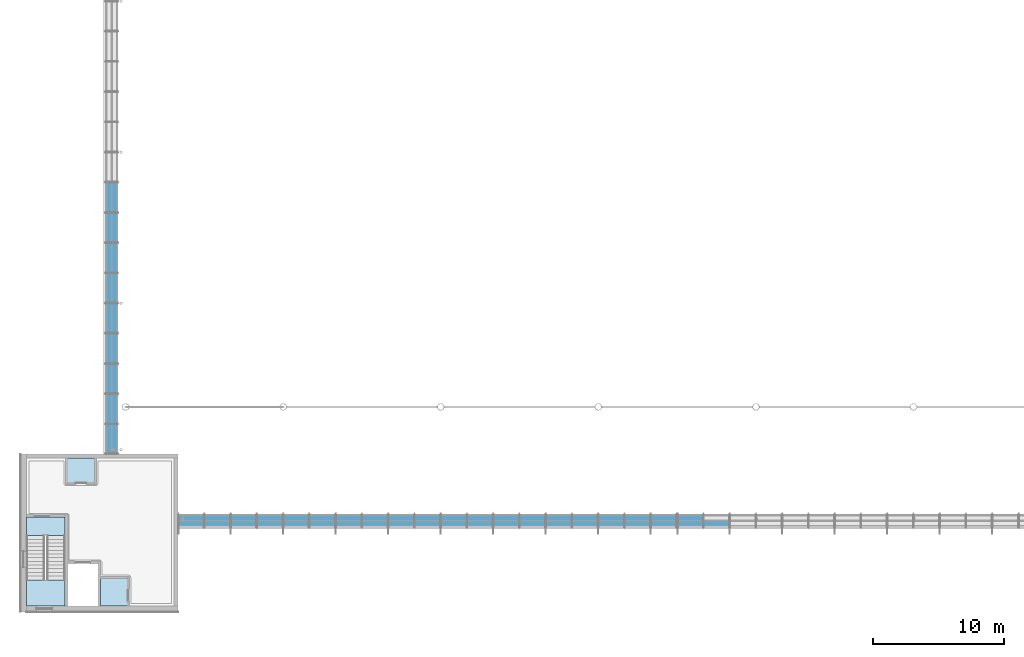
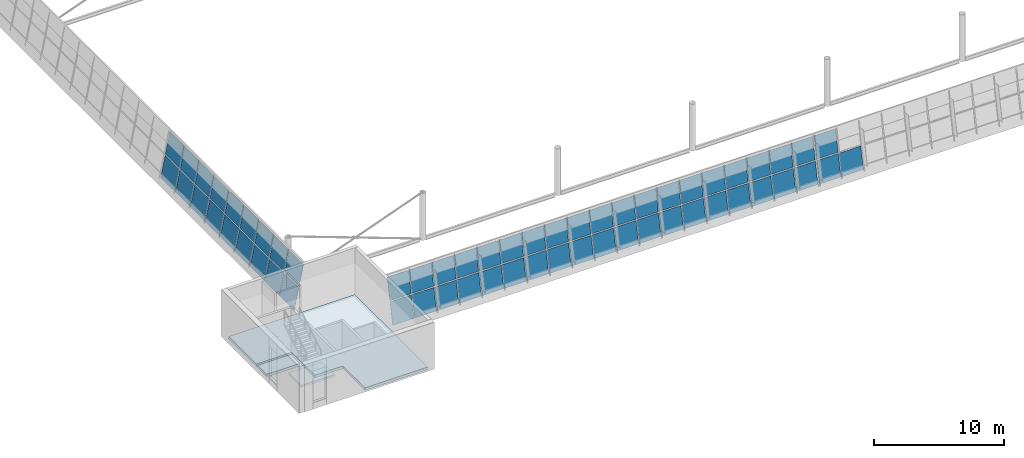
# One storey, part 23 of 50: 59 plates, 3 slabs, 4 elements without a shape of their own.
"""IFC4 building model written with IfcOpenShell, lengths in metres."""

from ifc_helpers import new_model, si_unit, direction, frame, origin, place, context, subcontext, project, spatial, polyline, outline, extrude, material, layer, layer_set, type_object, element, aggregate, save


model = new_model("IFC4")

# Units and contexts
model_context = context("Model", 3, precision=1e-05, world=origin(), true_north=direction((0.0, 1.0)))
body_context = subcontext(model_context, "Body", "Model", "MODEL_VIEW")
ifc_project = project(units=[si_unit("LENGTHUNIT", "METRE"), si_unit("AREAUNIT", "SQUARE_METRE"), si_unit("VOLUMEUNIT", "CUBIC_METRE"), si_unit("PLANEANGLEUNIT", "RADIAN"), si_unit("MASSUNIT", "GRAM", prefix="KILO")], contexts=[model_context])

# Site, building, storey
site_placement = place(None, origin())
site = spatial("IfcSite", under=ifc_project, at=site_placement, CompositionType="ELEMENT")
building_placement = place(site_placement, origin())
building = spatial("IfcBuilding", under=site, at=building_placement, Name="Windward Yard Aquatics Centre", CompositionType="ELEMENT")
storey_placement = place(building_placement, frame((0.0, 0.0, 18.199951171875)))
storey = spatial("IfcBuildingStorey", under=building, at=storey_placement, Name="L04", CompositionType="ELEMENT", Elevation=18.199951171875)

# Slabs
ifc_material_1 = material(Name="Concrete C35/45", Category="concrete")
ifc_layer_1 = layer(ifc_material_1, 0.25)
ifc_layer_set_1 = layer_set([ifc_layer_1], Name="H Core Floor Concrete C35/45 250")
slab_type_1 = type_object("IfcSlabType", Name="H Core Floor Concrete C35/45 250", PredefinedType="FLOOR", material=ifc_layer_set_1)
slab_1_placement = place(storey_placement, frame((0.0, 0.0, -0.25)))
element("IfcSlab", 1, at=slab_1_placement, inside=storey, type_object=slab_type_1, Name="L04 core floor SW", PredefinedType="FLOOR", context=body_context, shape_type="SweptSolid", body=[
    extrude(outline(polyline([(52.449951171875, 33.39990234375), (55.60009765625, 33.39990234375), (55.60009765625, 29.85009765625), (58.10009765625, 29.85009765625), (58.10009765625, 26.449951171875), (63.699951171875, 26.449951171875), (63.699951171875, 37.699951171875), (52.449951171875, 37.699951171875), (52.449951171875, 33.39990234375)])), origin(), (0.0, 0.0, 1.0), 0.25),
])
slab_2_placement = place(storey_placement, frame((0.0, 0.0, -0.25)))
element("IfcSlab", 2, at=slab_2_placement, inside=storey, type_object=slab_type_1, Name="L04 stair floor landing SW", PredefinedType="FLOOR", context=body_context, shape_type="SweptSolid", body=[
    extrude(outline(polyline([(52.449951171875, 31.800048828125), (55.39990234375, 31.800048828125), (55.39990234375, 33.199951171875), (52.449951171875, 33.199951171875), (52.449951171875, 31.800048828125)])), origin(), (0.0, 0.0, 1.0), 0.25),
])

# Stair, slab
stair_type = type_object("IfcStairType", Name="H Core Stair Concrete C35/45 1400", PredefinedType="HALF_TURN_STAIR", material=ifc_material_1)
stair_placement = place(storey_placement, origin())
stair = element("IfcStair", 3, at=stair_placement, inside=storey, type_object=stair_type, Name="L04 Stair SW", PredefinedType="HALF_TURN_STAIR")
ifc_layer_2 = layer(ifc_material_1, 0.199951171875)
ifc_layer_set_2 = layer_set([ifc_layer_2], Name="H Stair Landing Concrete C35/45 200")
slab_type_2 = type_object("IfcSlabType", Name="H Stair Landing Concrete C35/45 200", PredefinedType="LANDING", material=ifc_layer_set_2)
slab_3_placement = place(storey_placement, frame((0.0, 0.0, 2.0)))
slab_3 = element("IfcSlab", 4, at=slab_3_placement, type_object=slab_type_2, Name="ST1 landing 1", PredefinedType="LANDING", context=body_context, shape_type="SweptSolid", body=[
    extrude(outline(polyline([(52.449951171875, 26.449951171875), (55.39990234375, 26.449951171875), (55.39990234375, 28.43994140625), (52.449951171875, 28.43994140625), (52.449951171875, 26.449951171875)])), origin(), (0.0, 0.0, 1.0), 0.199951171875),
])
aggregate(stair, [slab_3])

# Curtain wall, plates
ifc_material_2 = material(Name="Glass and aluminium curtain wall", Category="aluminium")
ifc_layer_3 = layer(ifc_material_2, 0.179931640625)
ifc_layer_set_3 = layer_set([ifc_layer_3], Name="H curtain wall tier 2 double glazed 6+16+6")
curtain_wall_type = type_object("IfcCurtainWallType", Name="H curtain wall tier 2 double glazed 6+16+6", PredefinedType="NOTDEFINED", material=ifc_layer_set_3)
curtain_wall_1_placement = place(storey_placement, origin())
curtain_wall_1 = element("IfcCurtainWall", 5, at=curtain_wall_1_placement, inside=storey, type_object=curtain_wall_type, Name="Tier 2 glazing S L04", PredefinedType="NOTDEFINED")
ifc_material_3 = material(Name="Low-iron glass", Category="glass")
ifc_layer_4 = layer(ifc_material_3, 0.006, Name="Outer pane")
ifc_material_4 = material(Name="Argon-filled cavity")
ifc_layer_5 = layer(ifc_material_4, 0.016, Name="Cavity")
ifc_layer_6 = layer(ifc_material_3, 0.006, Name="Inner pane")
ifc_layer_set_4 = layer_set([ifc_layer_4, ifc_layer_5, ifc_layer_6], Name="H tier 2 glass low-e double glazed unit 28")
plate_type = type_object("IfcPlateType", Name="H tier 2 glass low-e double glazed unit 28", PredefinedType="CURTAIN_PANEL", material=ifc_layer_set_4)
plate_1_placement = place(storey_placement, frame((64.06494140625, 32.511474609375, 0.100830078125), z_axis=(0.0, -0.979933459069, 0.199324900092), x_axis=(1.0, 0.0, 0.0)))
plate_1 = element("IfcPlate", 6, at=plate_1_placement, type_object=plate_type, Name="G2SA panel 1.1", PredefinedType="CURTAIN_PANEL", context=body_context, shape_type="SweptSolid", body=[
    extrude(outline(polyline([(0.0, 0.0), (1.902344, 0.0), (1.902344, 2.018532), (0.0, 2.018532), (0.0, 0.0)])), origin(), (0.0, 0.0, -1.0), 0.028076171875),
])
plate_2_placement = place(storey_placement, frame((64.06494140625, 32.933837890625, 2.1767578125), z_axis=(0.0, -0.979926619255, 0.199358523457), x_axis=(1.0, 0.0, 0.0)))
plate_2 = element("IfcPlate", 7, at=plate_2_placement, type_object=plate_type, Name="G2SA panel 1.2", PredefinedType="CURTAIN_PANEL", context=body_context, shape_type="SweptSolid", body=[
    extrude(outline(polyline([(0.0, 0.0), (1.902344, 0.0), (1.902344, 2.012069), (0.0, 2.012069), (0.0, 0.0)])), origin(), (0.0, 0.0, -1.0), 0.028076171875),
])
plate_3_placement = place(storey_placement, frame((66.0322265625, 32.511474609375, 0.100830078125), z_axis=(0.0, -0.979933459069, 0.199324900092), x_axis=(1.0, 0.0, 0.0)))
plate_3 = element("IfcPlate", 8, at=plate_3_placement, type_object=plate_type, Name="G2SA panel 2.1", PredefinedType="CURTAIN_PANEL", context=body_context, shape_type="SweptSolid", body=[
    extrude(outline(polyline([(0.0, 0.0), (1.934814, 0.0), (1.934814, 2.018532), (0.0, 2.018532), (0.0, 0.0)])), origin(), (0.0, 0.0, -1.0), 0.028076171875),
])
plate_4_placement = place(storey_placement, frame((66.0322265625, 32.933837890625, 2.1767578125), z_axis=(0.0, -0.979926619255, 0.199358523457), x_axis=(1.0, 0.0, 0.0)))
plate_4 = element("IfcPlate", 9, at=plate_4_placement, type_object=plate_type, Name="G2SA panel 2.2", PredefinedType="CURTAIN_PANEL", context=body_context, shape_type="SweptSolid", body=[
    extrude(outline(polyline([(0.0, 0.0), (1.934814, 0.0), (1.934814, 2.012069), (0.0, 2.012069), (0.0, 0.0)])), origin(), (0.0, 0.0, -1.0), 0.028076171875),
])
plate_5_placement = place(storey_placement, frame((68.031982421875, 32.511474609375, 0.100830078125), z_axis=(0.0, -0.979933459069, 0.199324900092), x_axis=(1.0, 0.0, 0.0)))
plate_5 = element("IfcPlate", 10, at=plate_5_placement, type_object=plate_type, Name="G2SA panel 3.1", PredefinedType="CURTAIN_PANEL", context=body_context, shape_type="SweptSolid", body=[
    extrude(outline(polyline([(0.0, 0.0), (1.934814, 0.0), (1.934814, 2.018532), (0.0, 2.018532), (0.0, 0.0)])), origin(), (0.0, 0.0, -1.0), 0.028076171875),
])
plate_6_placement = place(storey_placement, frame((68.031982421875, 32.933837890625, 2.1767578125), z_axis=(0.0, -0.979926619255, 0.199358523457), x_axis=(1.0, 0.0, 0.0)))
plate_6 = element("IfcPlate", 11, at=plate_6_placement, type_object=plate_type, Name="G2SA panel 3.2", PredefinedType="CURTAIN_PANEL", context=body_context, shape_type="SweptSolid", body=[
    extrude(outline(polyline([(0.0, 0.0), (1.934814, 0.0), (1.934814, 2.012069), (0.0, 2.012069), (0.0, 0.0)])), origin(), (0.0, 0.0, -1.0), 0.028076171875),
])
plate_7_placement = place(storey_placement, frame((70.03173828125, 32.511474609375, 0.100830078125), z_axis=(0.0, -0.979933459069, 0.199324900092), x_axis=(1.0, 0.0, 0.0)))
plate_7 = element("IfcPlate", 12, at=plate_7_placement, type_object=plate_type, Name="G2SA panel 4.1", PredefinedType="CURTAIN_PANEL", context=body_context, shape_type="SweptSolid", body=[
    extrude(outline(polyline([(0.0, 0.0), (1.934814, 0.0), (1.934814, 2.018532), (0.0, 2.018532), (0.0, 0.0)])), origin(), (0.0, 0.0, -1.0), 0.028076171875),
])
plate_8_placement = place(storey_placement, frame((70.03173828125, 32.933837890625, 2.1767578125), z_axis=(0.0, -0.979926619255, 0.199358523457), x_axis=(1.0, 0.0, 0.0)))
plate_8 = element("IfcPlate", 13, at=plate_8_placement, type_object=plate_type, Name="G2SA panel 4.2", PredefinedType="CURTAIN_PANEL", context=body_context, shape_type="SweptSolid", body=[
    extrude(outline(polyline([(0.0, 0.0), (1.934814, 0.0), (1.934814, 2.012069), (0.0, 2.012069), (0.0, 0.0)])), origin(), (0.0, 0.0, -1.0), 0.028076171875),
])
plate_9_placement = place(storey_placement, frame((72.031494140625, 32.511474609375, 0.100830078125), z_axis=(0.0, -0.979933459069, 0.199324900092), x_axis=(1.0, 0.0, 0.0)))
plate_9 = element("IfcPlate", 14, at=plate_9_placement, type_object=plate_type, Name="G2SA panel 5.1", PredefinedType="CURTAIN_PANEL", context=body_context, shape_type="SweptSolid", body=[
    extrude(outline(polyline([(0.0, 0.0), (1.93457, 0.0), (1.93457, 2.018532), (0.0, 2.018532), (0.0, 0.0)])), origin(), (0.0, 0.0, -1.0), 0.028076171875),
])
plate_10_placement = place(storey_placement, frame((72.031494140625, 32.933837890625, 2.1767578125), z_axis=(0.0, -0.979926619255, 0.199358523457), x_axis=(1.0, 0.0, 0.0)))
plate_10 = element("IfcPlate", 15, at=plate_10_placement, type_object=plate_type, Name="G2SA panel 5.2", PredefinedType="CURTAIN_PANEL", context=body_context, shape_type="SweptSolid", body=[
    extrude(outline(polyline([(0.0, 0.0), (1.93457, 0.0), (1.93457, 2.012069), (0.0, 2.012069), (0.0, 0.0)])), origin(), (0.0, 0.0, -1.0), 0.028076171875),
])
plate_11_placement = place(storey_placement, frame((74.03125, 32.511474609375, 0.100830078125), z_axis=(0.0, -0.979933459069, 0.199324900092), x_axis=(1.0, 0.0, 0.0)))
plate_11 = element("IfcPlate", 16, at=plate_11_placement, type_object=plate_type, Name="G2SA panel 6.1", PredefinedType="CURTAIN_PANEL", context=body_context, shape_type="SweptSolid", body=[
    extrude(outline(polyline([(0.0, 0.0), (1.93457, 0.0), (1.93457, 2.018532), (0.0, 2.018532), (0.0, 0.0)])), origin(), (0.0, 0.0, -1.0), 0.028076171875),
])
plate_12_placement = place(storey_placement, frame((74.03125, 32.933837890625, 2.1767578125), z_axis=(0.0, -0.979926619255, 0.199358523457), x_axis=(1.0, 0.0, 0.0)))
plate_12 = element("IfcPlate", 17, at=plate_12_placement, type_object=plate_type, Name="G2SA panel 6.2", PredefinedType="CURTAIN_PANEL", context=body_context, shape_type="SweptSolid", body=[
    extrude(outline(polyline([(0.0, 0.0), (1.93457, 0.0), (1.93457, 2.012069), (0.0, 2.012069), (0.0, 0.0)])), origin(), (0.0, 0.0, -1.0), 0.028076171875),
])
plate_13_placement = place(storey_placement, frame((76.031005859375, 32.511474609375, 0.100830078125), z_axis=(0.0, -0.979933459069, 0.199324900092), x_axis=(1.0, 0.0, 0.0)))
plate_13 = element("IfcPlate", 18, at=plate_13_placement, type_object=plate_type, Name="G2SA panel 7.1", PredefinedType="CURTAIN_PANEL", context=body_context, shape_type="SweptSolid", body=[
    extrude(outline(polyline([(0.0, 0.0), (1.93457, 0.0), (1.93457, 2.018532), (0.0, 2.018532), (0.0, 0.0)])), origin(), (0.0, 0.0, -1.0), 0.028076171875),
])
plate_14_placement = place(storey_placement, frame((76.031005859375, 32.933837890625, 2.1767578125), z_axis=(0.0, -0.979926619255, 0.199358523457), x_axis=(1.0, 0.0, 0.0)))
plate_14 = element("IfcPlate", 19, at=plate_14_placement, type_object=plate_type, Name="G2SA panel 7.2", PredefinedType="CURTAIN_PANEL", context=body_context, shape_type="SweptSolid", body=[
    extrude(outline(polyline([(0.0, 0.0), (1.93457, 0.0), (1.93457, 2.012069), (0.0, 2.012069), (0.0, 0.0)])), origin(), (0.0, 0.0, -1.0), 0.028076171875),
])
plate_15_placement = place(storey_placement, frame((78.03076171875, 32.511474609375, 0.100830078125), z_axis=(0.0, -0.979933459069, 0.199324900092), x_axis=(1.0, 0.0, 0.0)))
plate_15 = element("IfcPlate", 20, at=plate_15_placement, type_object=plate_type, Name="G2SA panel 8.1", PredefinedType="CURTAIN_PANEL", context=body_context, shape_type="SweptSolid", body=[
    extrude(outline(polyline([(0.0, 0.0), (1.93457, 0.0), (1.93457, 2.018532), (0.0, 2.018532), (0.0, 0.0)])), origin(), (0.0, 0.0, -1.0), 0.028076171875),
])
plate_16_placement = place(storey_placement, frame((78.03076171875, 32.933837890625, 2.1767578125), z_axis=(0.0, -0.979926619255, 0.199358523457), x_axis=(1.0, 0.0, 0.0)))
plate_16 = element("IfcPlate", 21, at=plate_16_placement, type_object=plate_type, Name="G2SA panel 8.2", PredefinedType="CURTAIN_PANEL", context=body_context, shape_type="SweptSolid", body=[
    extrude(outline(polyline([(0.0, 0.0), (1.93457, 0.0), (1.93457, 2.012069), (0.0, 2.012069), (0.0, 0.0)])), origin(), (0.0, 0.0, -1.0), 0.028076171875),
])
plate_17_placement = place(storey_placement, frame((80.0302734375, 32.511474609375, 0.100830078125), z_axis=(0.0, -0.979933459069, 0.199324900092), x_axis=(1.0, 0.0, 0.0)))
plate_17 = element("IfcPlate", 22, at=plate_17_placement, type_object=plate_type, Name="G2SA panel 9.1", PredefinedType="CURTAIN_PANEL", context=body_context, shape_type="SweptSolid", body=[
    extrude(outline(polyline([(0.0, 0.0), (1.934814, 0.0), (1.934814, 2.018532), (0.0, 2.018532), (0.0, 0.0)])), origin(), (0.0, 0.0, -1.0), 0.028076171875),
])
plate_18_placement = place(storey_placement, frame((80.0302734375, 32.933837890625, 2.1767578125), z_axis=(0.0, -0.979926619255, 0.199358523457), x_axis=(1.0, 0.0, 0.0)))
plate_18 = element("IfcPlate", 23, at=plate_18_placement, type_object=plate_type, Name="G2SA panel 9.2", PredefinedType="CURTAIN_PANEL", context=body_context, shape_type="SweptSolid", body=[
    extrude(outline(polyline([(0.0, 0.0), (1.934814, 0.0), (1.934814, 2.012069), (0.0, 2.012069), (0.0, 0.0)])), origin(), (0.0, 0.0, -1.0), 0.028076171875),
])
plate_19_placement = place(storey_placement, frame((82.030029296875, 32.511474609375, 0.100830078125), z_axis=(0.0, -0.979933459069, 0.199324900092), x_axis=(1.0, 0.0, 0.0)))
plate_19 = element("IfcPlate", 24, at=plate_19_placement, type_object=plate_type, Name="G2SA panel 10.1", PredefinedType="CURTAIN_PANEL", context=body_context, shape_type="SweptSolid", body=[
    extrude(outline(polyline([(0.0, 0.0), (1.934814, 0.0), (1.934814, 2.018532), (0.0, 2.018532), (0.0, 0.0)])), origin(), (0.0, 0.0, -1.0), 0.028076171875),
])
plate_20_placement = place(storey_placement, frame((82.030029296875, 32.933837890625, 2.1767578125), z_axis=(0.0, -0.979926619255, 0.199358523457), x_axis=(1.0, 0.0, 0.0)))
plate_20 = element("IfcPlate", 25, at=plate_20_placement, type_object=plate_type, Name="G2SA panel 10.2", PredefinedType="CURTAIN_PANEL", context=body_context, shape_type="SweptSolid", body=[
    extrude(outline(polyline([(0.0, 0.0), (1.934814, 0.0), (1.934814, 2.012069), (0.0, 2.012069), (0.0, 0.0)])), origin(), (0.0, 0.0, -1.0), 0.028076171875),
])
plate_21_placement = place(storey_placement, frame((84.02978515625, 32.511474609375, 0.100830078125), z_axis=(0.0, -0.979933459069, 0.199324900092), x_axis=(1.0, 0.0, 0.0)))
plate_21 = element("IfcPlate", 26, at=plate_21_placement, type_object=plate_type, Name="G2SA panel 11.1", PredefinedType="CURTAIN_PANEL", context=body_context, shape_type="SweptSolid", body=[
    extrude(outline(polyline([(0.0, 0.0), (1.934814, 0.0), (1.934814, 2.018532), (0.0, 2.018532), (0.0, 0.0)])), origin(), (0.0, 0.0, -1.0), 0.028076171875),
])
plate_22_placement = place(storey_placement, frame((84.02978515625, 32.933837890625, 2.1767578125), z_axis=(0.0, -0.979926619255, 0.199358523457), x_axis=(1.0, 0.0, 0.0)))
plate_22 = element("IfcPlate", 27, at=plate_22_placement, type_object=plate_type, Name="G2SA panel 11.2", PredefinedType="CURTAIN_PANEL", context=body_context, shape_type="SweptSolid", body=[
    extrude(outline(polyline([(0.0, 0.0), (1.934814, 0.0), (1.934814, 2.012069), (0.0, 2.012069), (0.0, 0.0)])), origin(), (0.0, 0.0, -1.0), 0.028076171875),
])
plate_23_placement = place(storey_placement, frame((86.029541015625, 32.511474609375, 0.100830078125), z_axis=(0.0, -0.979933459069, 0.199324900092), x_axis=(1.0, 0.0, 0.0)))
plate_23 = element("IfcPlate", 28, at=plate_23_placement, type_object=plate_type, Name="G2SA panel 12.1", PredefinedType="CURTAIN_PANEL", context=body_context, shape_type="SweptSolid", body=[
    extrude(outline(polyline([(0.0, 0.0), (1.934814, 0.0), (1.934814, 2.018532), (0.0, 2.018532), (0.0, 0.0)])), origin(), (0.0, 0.0, -1.0), 0.028076171875),
])
plate_24_placement = place(storey_placement, frame((86.029541015625, 32.933837890625, 2.1767578125), z_axis=(0.0, -0.979926619255, 0.199358523457), x_axis=(1.0, 0.0, 0.0)))
plate_24 = element("IfcPlate", 29, at=plate_24_placement, type_object=plate_type, Name="G2SA panel 12.2", PredefinedType="CURTAIN_PANEL", context=body_context, shape_type="SweptSolid", body=[
    extrude(outline(polyline([(0.0, 0.0), (1.934814, 0.0), (1.934814, 2.012069), (0.0, 2.012069), (0.0, 0.0)])), origin(), (0.0, 0.0, -1.0), 0.028076171875),
])
plate_25_placement = place(storey_placement, frame((88.029296875, 32.511474609375, 0.100830078125), z_axis=(0.0, -0.979933459069, 0.199324900092), x_axis=(1.0, 0.0, 0.0)))
plate_25 = element("IfcPlate", 30, at=plate_25_placement, type_object=plate_type, Name="G2SA panel 13.1", PredefinedType="CURTAIN_PANEL", context=body_context, shape_type="SweptSolid", body=[
    extrude(outline(polyline([(0.0, 0.0), (1.934814, 0.0), (1.934814, 2.018532), (0.0, 2.018532), (0.0, 0.0)])), origin(), (0.0, 0.0, -1.0), 0.028076171875),
])
plate_26_placement = place(storey_placement, frame((88.029296875, 32.933837890625, 2.1767578125), z_axis=(0.0, -0.979926619255, 0.199358523457), x_axis=(1.0, 0.0, 0.0)))
plate_26 = element("IfcPlate", 31, at=plate_26_placement, type_object=plate_type, Name="G2SA panel 13.2", PredefinedType="CURTAIN_PANEL", context=body_context, shape_type="SweptSolid", body=[
    extrude(outline(polyline([(0.0, 0.0), (1.934814, 0.0), (1.934814, 2.012069), (0.0, 2.012069), (0.0, 0.0)])), origin(), (0.0, 0.0, -1.0), 0.028076171875),
])
plate_27_placement = place(storey_placement, frame((90.029052734375, 32.511474609375, 0.100830078125), z_axis=(0.0, -0.979933459069, 0.199324900092), x_axis=(1.0, 0.0, 0.0)))
plate_27 = element("IfcPlate", 32, at=plate_27_placement, type_object=plate_type, Name="G2SA panel 14.1", PredefinedType="CURTAIN_PANEL", context=body_context, shape_type="SweptSolid", body=[
    extrude(outline(polyline([(0.0, 0.0), (1.934814, 0.0), (1.934814, 2.018532), (0.0, 2.018532), (0.0, 0.0)])), origin(), (0.0, 0.0, -1.0), 0.028076171875),
])
plate_28_placement = place(storey_placement, frame((90.029052734375, 32.933837890625, 2.1767578125), z_axis=(0.0, -0.979926619255, 0.199358523457), x_axis=(1.0, 0.0, 0.0)))
plate_28 = element("IfcPlate", 33, at=plate_28_placement, type_object=plate_type, Name="G2SA panel 14.2", PredefinedType="CURTAIN_PANEL", context=body_context, shape_type="SweptSolid", body=[
    extrude(outline(polyline([(0.0, 0.0), (1.934814, 0.0), (1.934814, 2.012069), (0.0, 2.012069), (0.0, 0.0)])), origin(), (0.0, 0.0, -1.0), 0.028076171875),
])
plate_29_placement = place(storey_placement, frame((92.02880859375, 32.511474609375, 0.100830078125), z_axis=(0.0, -0.979933459069, 0.199324900092), x_axis=(1.0, 0.0, 0.0)))
plate_29 = element("IfcPlate", 34, at=plate_29_placement, type_object=plate_type, Name="G2SA panel 15.1", PredefinedType="CURTAIN_PANEL", context=body_context, shape_type="SweptSolid", body=[
    extrude(outline(polyline([(0.0, 0.0), (1.934814, 0.0), (1.934814, 2.018532), (0.0, 2.018532), (0.0, 0.0)])), origin(), (0.0, 0.0, -1.0), 0.028076171875),
])
plate_30_placement = place(storey_placement, frame((92.02880859375, 32.933837890625, 2.1767578125), z_axis=(0.0, -0.979926619255, 0.199358523457), x_axis=(1.0, 0.0, 0.0)))
plate_30 = element("IfcPlate", 35, at=plate_30_placement, type_object=plate_type, Name="G2SA panel 15.2", PredefinedType="CURTAIN_PANEL", context=body_context, shape_type="SweptSolid", body=[
    extrude(outline(polyline([(0.0, 0.0), (1.934814, 0.0), (1.934814, 2.012069), (0.0, 2.012069), (0.0, 0.0)])), origin(), (0.0, 0.0, -1.0), 0.028076171875),
])
plate_31_placement = place(storey_placement, frame((94.028564453125, 32.511474609375, 0.100830078125), z_axis=(0.0, -0.979933459069, 0.199324900092), x_axis=(1.0, 0.0, 0.0)))
plate_31 = element("IfcPlate", 36, at=plate_31_placement, type_object=plate_type, Name="G2SA panel 16.1", PredefinedType="CURTAIN_PANEL", context=body_context, shape_type="SweptSolid", body=[
    extrude(outline(polyline([(0.0, 0.0), (1.934814, 0.0), (1.934814, 2.018532), (0.0, 2.018532), (0.0, 0.0)])), origin(), (0.0, 0.0, -1.0), 0.028076171875),
])
plate_32_placement = place(storey_placement, frame((94.028564453125, 32.933837890625, 2.1767578125), z_axis=(0.0, -0.979926619255, 0.199358523457), x_axis=(1.0, 0.0, 0.0)))
plate_32 = element("IfcPlate", 37, at=plate_32_placement, type_object=plate_type, Name="G2SA panel 16.2", PredefinedType="CURTAIN_PANEL", context=body_context, shape_type="SweptSolid", body=[
    extrude(outline(polyline([(0.0, 0.0), (1.934814, 0.0), (1.934814, 2.012069), (0.0, 2.012069), (0.0, 0.0)])), origin(), (0.0, 0.0, -1.0), 0.028076171875),
])
plate_33_placement = place(storey_placement, frame((96.0283203125, 32.511474609375, 0.100830078125), z_axis=(0.0, -0.979933459069, 0.199324900092), x_axis=(1.0, 0.0, 0.0)))
plate_33 = element("IfcPlate", 38, at=plate_33_placement, type_object=plate_type, Name="G2SA panel 17.1", PredefinedType="CURTAIN_PANEL", context=body_context, shape_type="SweptSolid", body=[
    extrude(outline(polyline([(0.0, 0.0), (1.934814, 0.0), (1.934814, 2.018532), (0.0, 2.018532), (0.0, 0.0)])), origin(), (0.0, 0.0, -1.0), 0.028076171875),
])
plate_34_placement = place(storey_placement, frame((96.0283203125, 32.933837890625, 2.1767578125), z_axis=(0.0, -0.979926619255, 0.199358523457), x_axis=(1.0, 0.0, 0.0)))
plate_34 = element("IfcPlate", 39, at=plate_34_placement, type_object=plate_type, Name="G2SA panel 17.2", PredefinedType="CURTAIN_PANEL", context=body_context, shape_type="SweptSolid", body=[
    extrude(outline(polyline([(0.0, 0.0), (1.934814, 0.0), (1.934814, 2.012069), (0.0, 2.012069), (0.0, 0.0)])), origin(), (0.0, 0.0, -1.0), 0.028076171875),
])
plate_35_placement = place(storey_placement, frame((98.028076171875, 32.511474609375, 0.100830078125), z_axis=(0.0, -0.979933459069, 0.199324900092), x_axis=(1.0, 0.0, 0.0)))
plate_35 = element("IfcPlate", 40, at=plate_35_placement, type_object=plate_type, Name="G2SA panel 18.1", PredefinedType="CURTAIN_PANEL", context=body_context, shape_type="SweptSolid", body=[
    extrude(outline(polyline([(0.0, 0.0), (1.93457, 0.0), (1.93457, 2.018532), (0.0, 2.018532), (0.0, 0.0)])), origin(), (0.0, 0.0, -1.0), 0.028076171875),
])
plate_36_placement = place(storey_placement, frame((98.028076171875, 32.933837890625, 2.1767578125), z_axis=(0.0, -0.979926619255, 0.199358523457), x_axis=(1.0, 0.0, 0.0)))
plate_36 = element("IfcPlate", 41, at=plate_36_placement, type_object=plate_type, Name="G2SA panel 18.2", PredefinedType="CURTAIN_PANEL", context=body_context, shape_type="SweptSolid", body=[
    extrude(outline(polyline([(0.0, 0.0), (1.93457, 0.0), (1.93457, 2.012069), (0.0, 2.012069), (0.0, 0.0)])), origin(), (0.0, 0.0, -1.0), 0.028076171875),
])
plate_37_placement = place(storey_placement, frame((100.02783203125, 32.511474609375, 0.100830078125), z_axis=(0.0, -0.979933459069, 0.199324900092), x_axis=(1.0, 0.0, 0.0)))
plate_37 = element("IfcPlate", 42, at=plate_37_placement, type_object=plate_type, Name="G2SA panel 19.1", PredefinedType="CURTAIN_PANEL", context=body_context, shape_type="SweptSolid", body=[
    extrude(outline(polyline([(0.0, 0.0), (1.9021, 0.0), (1.9021, 2.018532), (0.0, 2.018532), (0.0, 0.0)])), origin(), (0.0, 0.0, -1.0), 0.028076171875),
])
plate_38_placement = place(storey_placement, frame((100.02783203125, 32.933837890625, 2.1767578125), z_axis=(0.0, -0.979926619255, 0.199358523457), x_axis=(1.0, 0.0, 0.0)))
plate_38 = element("IfcPlate", 43, at=plate_38_placement, type_object=plate_type, Name="G2SA panel 19.2", PredefinedType="CURTAIN_PANEL", context=body_context, shape_type="SweptSolid", body=[
    extrude(outline(polyline([(0.0, 0.0), (1.9021, 0.0), (1.9021, 2.012069), (0.0, 2.012069), (0.0, 0.0)])), origin(), (0.0, 0.0, -1.0), 0.028076171875),
])
aggregate(curtain_wall_1, [plate_1, plate_2, plate_3, plate_4, plate_5, plate_6, plate_7, plate_8, plate_9, plate_10, plate_11, plate_12, plate_13, plate_14, plate_15, plate_16, plate_17, plate_18, plate_19, plate_20, plate_21, plate_22, plate_23, plate_24, plate_25, plate_26, plate_27, plate_28, plate_29, plate_30, plate_31, plate_32, plate_33, plate_34, plate_35, plate_36, plate_37, plate_38])

curtain_wall_2_placement = place(storey_placement, origin())
curtain_wall_2 = element("IfcCurtainWall", 44, at=curtain_wall_2_placement, inside=storey, type_object=curtain_wall_type, Name="Tier 2 glazing S L04", PredefinedType="NOTDEFINED")
plate_39_placement = place(storey_placement, frame((102.070068359375, 32.511474609375, 0.100830078125), z_axis=(0.0, -0.979933459069, 0.199324900092), x_axis=(1.0, 0.0, 0.0)))
plate_39 = element("IfcPlate", 45, at=plate_39_placement, type_object=plate_type, Name="G2SB panel 1.1", PredefinedType="CURTAIN_PANEL", context=body_context, shape_type="SweptSolid", body=[
    extrude(outline(polyline([(0.0, 0.0), (1.9021, 0.0), (1.9021, 2.018532), (0.0, 2.018532), (0.0, 0.0)])), origin(), (0.0, 0.0, -1.0), 0.028076171875),
])
plate_40_placement = place(storey_placement, frame((102.070068359375, 32.933837890625, 2.1767578125), z_axis=(0.0, -0.979926619255, 0.199358523457), x_axis=(1.0, 0.0, 0.0)))
plate_40 = element("IfcPlate", 46, at=plate_40_placement, type_object=plate_type, Name="G2SB panel 1.2", PredefinedType="CURTAIN_PANEL", context=body_context, shape_type="SweptSolid", body=[
    extrude(outline(polyline([(0.0, 0.0), (1.9021, 0.0), (1.9021, 2.012069), (0.0, 2.012069), (0.0, 0.0)])), origin(), (0.0, 0.0, -1.0), 0.028076171875),
])
plate_41_placement = place(storey_placement, frame((104.037353515625, 32.511474609375, 0.100830078125), z_axis=(0.0, -0.979933459069, 0.199324900092), x_axis=(1.0, 0.0, 0.0)))
plate_41 = element("IfcPlate", 47, at=plate_41_placement, type_object=plate_type, Name="G2SB panel 2.1", PredefinedType="CURTAIN_PANEL", context=body_context, shape_type="SweptSolid", body=[
    extrude(outline(polyline([(0.0, 0.0), (1.93457, 0.0), (1.93457, 2.018532), (0.0, 2.018532), (0.0, 0.0)])), origin(), (0.0, 0.0, -1.0), 0.028076171875),
])
aggregate(curtain_wall_2, [plate_39, plate_40, plate_41])

curtain_wall_3_placement = place(storey_placement, origin())
curtain_wall_3 = element("IfcCurtainWall", 48, at=curtain_wall_3_placement, inside=storey, type_object=curtain_wall_type, Name="Tier 2 glazing W L04", PredefinedType="NOTDEFINED")
plate_42_placement = place(storey_placement, frame((58.511474609375, 38.06494140625, 0.100830078125), z_axis=(-0.979933459069, 0.0, 0.199324900092), x_axis=(0.0, 1.0, 0.0)))
plate_42 = element("IfcPlate", 49, at=plate_42_placement, type_object=plate_type, Name="G2WA panel 1.1", PredefinedType="CURTAIN_PANEL", context=body_context, shape_type="SweptSolid", body=[
    extrude(outline(polyline([(0.0, 0.0), (2.202637, 0.0), (2.202637, -2.018532), (0.0, -2.018532), (0.0, 0.0)])), origin(), (0.0, 0.0, -1.0), 0.028076171875),
])
plate_43_placement = place(storey_placement, frame((58.933837890625, 38.06494140625, 2.1767578125), z_axis=(-0.979926619255, 0.0, 0.199358523457), x_axis=(0.0, 1.0, 0.0)))
plate_43 = element("IfcPlate", 50, at=plate_43_placement, type_object=plate_type, Name="G2WA panel 1.2", PredefinedType="CURTAIN_PANEL", context=body_context, shape_type="SweptSolid", body=[
    extrude(outline(polyline([(0.0, 0.0), (2.202637, 0.0), (2.202637, -2.012069), (0.0, -2.012069), (0.0, 0.0)])), origin(), (0.0, 0.0, -1.0), 0.028076171875),
])
plate_44_placement = place(storey_placement, frame((58.511474609375, 40.33251953125, 0.100830078125), z_axis=(-0.979933459069, 0.0, 0.199324900092), x_axis=(0.0, 1.0, 0.0)))
plate_44 = element("IfcPlate", 51, at=plate_44_placement, type_object=plate_type, Name="G2WA panel 2.1", PredefinedType="CURTAIN_PANEL", context=body_context, shape_type="SweptSolid", body=[
    extrude(outline(polyline([(0.0, 0.0), (2.234863, 0.0), (2.234863, -2.018532), (0.0, -2.018532), (0.0, 0.0)])), origin(), (0.0, 0.0, -1.0), 0.028076171875),
])
plate_45_placement = place(storey_placement, frame((58.933837890625, 40.33251953125, 2.1767578125), z_axis=(-0.979926619255, 0.0, 0.199358523457), x_axis=(0.0, 1.0, 0.0)))
plate_45 = element("IfcPlate", 52, at=plate_45_placement, type_object=plate_type, Name="G2WA panel 2.2", PredefinedType="CURTAIN_PANEL", context=body_context, shape_type="SweptSolid", body=[
    extrude(outline(polyline([(0.0, 0.0), (2.234863, 0.0), (2.234863, -2.012069), (0.0, -2.012069), (0.0, 0.0)])), origin(), (0.0, 0.0, -1.0), 0.028076171875),
])
plate_46_placement = place(storey_placement, frame((58.511474609375, 42.632568359375, 0.100830078125), z_axis=(-0.979933459069, 0.0, 0.199324900092), x_axis=(0.0, 1.0, 0.0)))
plate_46 = element("IfcPlate", 53, at=plate_46_placement, type_object=plate_type, Name="G2WA panel 3.1", PredefinedType="CURTAIN_PANEL", context=body_context, shape_type="SweptSolid", body=[
    extrude(outline(polyline([(0.0, 0.0), (2.234863, 0.0), (2.234863, -2.018532), (0.0, -2.018532), (0.0, 0.0)])), origin(), (0.0, 0.0, -1.0), 0.028076171875),
])
plate_47_placement = place(storey_placement, frame((58.933837890625, 42.632568359375, 2.1767578125), z_axis=(-0.979926619255, 0.0, 0.199358523457), x_axis=(0.0, 1.0, 0.0)))
plate_47 = element("IfcPlate", 54, at=plate_47_placement, type_object=plate_type, Name="G2WA panel 3.2", PredefinedType="CURTAIN_PANEL", context=body_context, shape_type="SweptSolid", body=[
    extrude(outline(polyline([(0.0, 0.0), (2.234863, 0.0), (2.234863, -2.012069), (0.0, -2.012069), (0.0, 0.0)])), origin(), (0.0, 0.0, -1.0), 0.028076171875),
])
plate_48_placement = place(storey_placement, frame((58.511474609375, 44.9326171875, 0.100830078125), z_axis=(-0.979933459069, 0.0, 0.199324900092), x_axis=(0.0, 1.0, 0.0)))
plate_48 = element("IfcPlate", 55, at=plate_48_placement, type_object=plate_type, Name="G2WA panel 4.1", PredefinedType="CURTAIN_PANEL", context=body_context, shape_type="SweptSolid", body=[
    extrude(outline(polyline([(0.0, 0.0), (2.234863, 0.0), (2.234863, -2.018532), (0.0, -2.018532), (0.0, 0.0)])), origin(), (0.0, 0.0, -1.0), 0.028076171875),
])
plate_49_placement = place(storey_placement, frame((58.933837890625, 44.9326171875, 2.1767578125), z_axis=(-0.979926619255, 0.0, 0.199358523457), x_axis=(0.0, 1.0, 0.0)))
plate_49 = element("IfcPlate", 56, at=plate_49_placement, type_object=plate_type, Name="G2WA panel 4.2", PredefinedType="CURTAIN_PANEL", context=body_context, shape_type="SweptSolid", body=[
    extrude(outline(polyline([(0.0, 0.0), (2.234863, 0.0), (2.234863, -2.012069), (0.0, -2.012069), (0.0, 0.0)])), origin(), (0.0, 0.0, -1.0), 0.028076171875),
])
plate_50_placement = place(storey_placement, frame((58.511474609375, 47.232421875, 0.100830078125), z_axis=(-0.979933459069, 0.0, 0.199324900092), x_axis=(0.0, 1.0, 0.0)))
plate_50 = element("IfcPlate", 57, at=plate_50_placement, type_object=plate_type, Name="G2WA panel 5.1", PredefinedType="CURTAIN_PANEL", context=body_context, shape_type="SweptSolid", body=[
    extrude(outline(polyline([(0.0, 0.0), (2.235107, 0.0), (2.235107, -2.018532), (0.0, -2.018532), (0.0, 0.0)])), origin(), (0.0, 0.0, -1.0), 0.028076171875),
])
plate_51_placement = place(storey_placement, frame((58.933837890625, 47.232421875, 2.1767578125), z_axis=(-0.979926619255, 0.0, 0.199358523457), x_axis=(0.0, 1.0, 0.0)))
plate_51 = element("IfcPlate", 58, at=plate_51_placement, type_object=plate_type, Name="G2WA panel 5.2", PredefinedType="CURTAIN_PANEL", context=body_context, shape_type="SweptSolid", body=[
    extrude(outline(polyline([(0.0, 0.0), (2.235107, 0.0), (2.235107, -2.012069), (0.0, -2.012069), (0.0, 0.0)])), origin(), (0.0, 0.0, -1.0), 0.028076171875),
])
plate_52_placement = place(storey_placement, frame((58.511474609375, 49.532470703125, 0.100830078125), z_axis=(-0.979933459069, 0.0, 0.199324900092), x_axis=(0.0, 1.0, 0.0)))
plate_52 = element("IfcPlate", 59, at=plate_52_placement, type_object=plate_type, Name="G2WA panel 6.1", PredefinedType="CURTAIN_PANEL", context=body_context, shape_type="SweptSolid", body=[
    extrude(outline(polyline([(0.0, 0.0), (2.235107, 0.0), (2.235107, -2.018532), (0.0, -2.018532), (0.0, 0.0)])), origin(), (0.0, 0.0, -1.0), 0.028076171875),
])
plate_53_placement = place(storey_placement, frame((58.933837890625, 49.532470703125, 2.1767578125), z_axis=(-0.979926619255, 0.0, 0.199358523457), x_axis=(0.0, 1.0, 0.0)))
plate_53 = element("IfcPlate", 60, at=plate_53_placement, type_object=plate_type, Name="G2WA panel 6.2", PredefinedType="CURTAIN_PANEL", context=body_context, shape_type="SweptSolid", body=[
    extrude(outline(polyline([(0.0, 0.0), (2.235107, 0.0), (2.235107, -2.012069), (0.0, -2.012069), (0.0, 0.0)])), origin(), (0.0, 0.0, -1.0), 0.028076171875),
])
plate_54_placement = place(storey_placement, frame((58.511474609375, 51.83251953125, 0.100830078125), z_axis=(-0.979933459069, 0.0, 0.199324900092), x_axis=(0.0, 1.0, 0.0)))
plate_54 = element("IfcPlate", 61, at=plate_54_placement, type_object=plate_type, Name="G2WA panel 7.1", PredefinedType="CURTAIN_PANEL", context=body_context, shape_type="SweptSolid", body=[
    extrude(outline(polyline([(0.0, 0.0), (2.234863, 0.0), (2.234863, -2.018532), (0.0, -2.018532), (0.0, 0.0)])), origin(), (0.0, 0.0, -1.0), 0.028076171875),
])
plate_55_placement = place(storey_placement, frame((58.933837890625, 51.83251953125, 2.1767578125), z_axis=(-0.979926619255, 0.0, 0.199358523457), x_axis=(0.0, 1.0, 0.0)))
plate_55 = element("IfcPlate", 62, at=plate_55_placement, type_object=plate_type, Name="G2WA panel 7.2", PredefinedType="CURTAIN_PANEL", context=body_context, shape_type="SweptSolid", body=[
    extrude(outline(polyline([(0.0, 0.0), (2.234863, 0.0), (2.234863, -2.012069), (0.0, -2.012069), (0.0, 0.0)])), origin(), (0.0, 0.0, -1.0), 0.028076171875),
])
plate_56_placement = place(storey_placement, frame((58.511474609375, 54.132568359375, 0.100830078125), z_axis=(-0.979933459069, 0.0, 0.199324900092), x_axis=(0.0, 1.0, 0.0)))
plate_56 = element("IfcPlate", 63, at=plate_56_placement, type_object=plate_type, Name="G2WA panel 8.1", PredefinedType="CURTAIN_PANEL", context=body_context, shape_type="SweptSolid", body=[
    extrude(outline(polyline([(0.0, 0.0), (2.234863, 0.0), (2.234863, -2.018532), (0.0, -2.018532), (0.0, 0.0)])), origin(), (0.0, 0.0, -1.0), 0.028076171875),
])
plate_57_placement = place(storey_placement, frame((58.933837890625, 54.132568359375, 2.1767578125), z_axis=(-0.979926619255, 0.0, 0.199358523457), x_axis=(0.0, 1.0, 0.0)))
plate_57 = element("IfcPlate", 64, at=plate_57_placement, type_object=plate_type, Name="G2WA panel 8.2", PredefinedType="CURTAIN_PANEL", context=body_context, shape_type="SweptSolid", body=[
    extrude(outline(polyline([(0.0, 0.0), (2.234863, 0.0), (2.234863, -2.012069), (0.0, -2.012069), (0.0, 0.0)])), origin(), (0.0, 0.0, -1.0), 0.028076171875),
])
plate_58_placement = place(storey_placement, frame((58.511474609375, 56.4326171875, 0.100830078125), z_axis=(-0.979933459069, 0.0, 0.199324900092), x_axis=(0.0, 1.0, 0.0)))
plate_58 = element("IfcPlate", 65, at=plate_58_placement, type_object=plate_type, Name="G2WA panel 9.1", PredefinedType="CURTAIN_PANEL", context=body_context, shape_type="SweptSolid", body=[
    extrude(outline(polyline([(0.0, 0.0), (2.234863, 0.0), (2.234863, -2.018532), (0.0, -2.018532), (0.0, 0.0)])), origin(), (0.0, 0.0, -1.0), 0.028076171875),
])
plate_59_placement = place(storey_placement, frame((58.933837890625, 56.4326171875, 2.1767578125), z_axis=(-0.979926619255, 0.0, 0.199358523457), x_axis=(0.0, 1.0, 0.0)))
plate_59 = element("IfcPlate", 66, at=plate_59_placement, type_object=plate_type, Name="G2WA panel 9.2", PredefinedType="CURTAIN_PANEL", context=body_context, shape_type="SweptSolid", body=[
    extrude(outline(polyline([(0.0, 0.0), (2.234863, 0.0), (2.234863, -2.012069), (0.0, -2.012069), (0.0, 0.0)])), origin(), (0.0, 0.0, -1.0), 0.028076171875),
])
aggregate(curtain_wall_3, [plate_42, plate_43, plate_44, plate_45, plate_46, plate_47, plate_48, plate_49, plate_50, plate_51, plate_52, plate_53, plate_54, plate_55, plate_56, plate_57, plate_58, plate_59])

save(model, "model.ifc")
